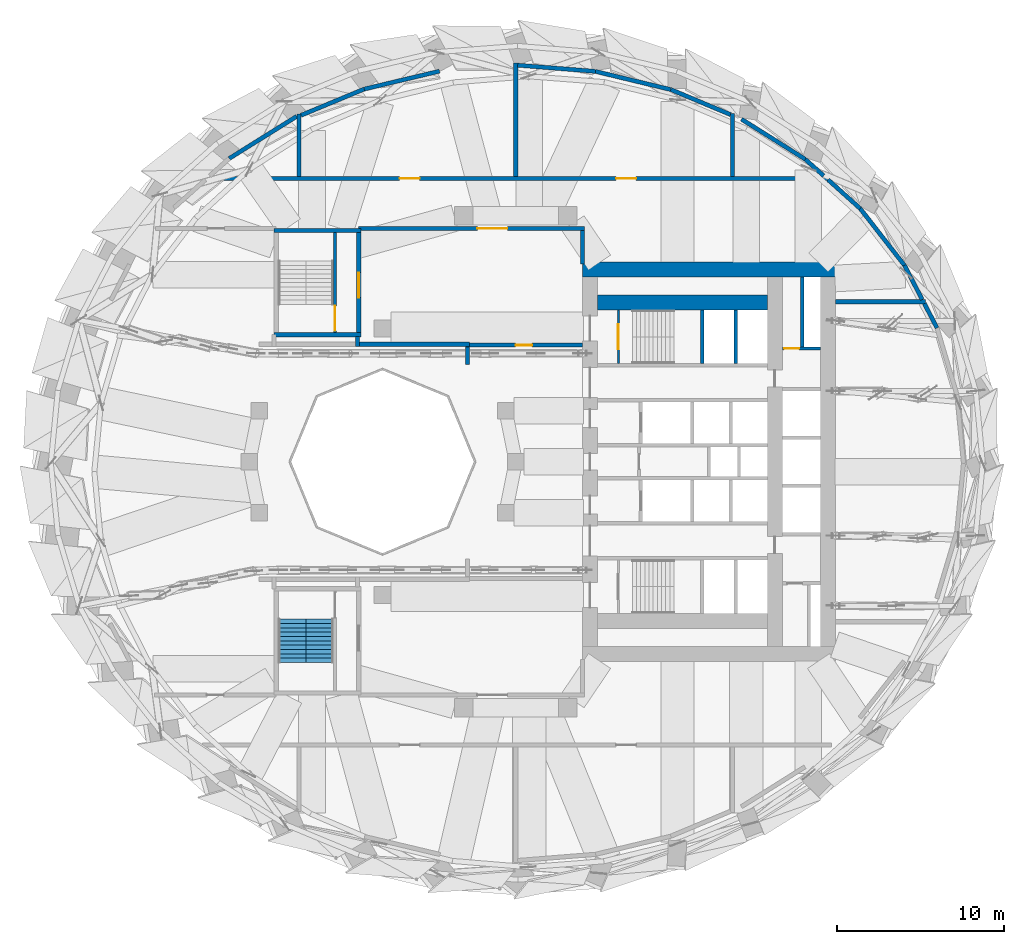
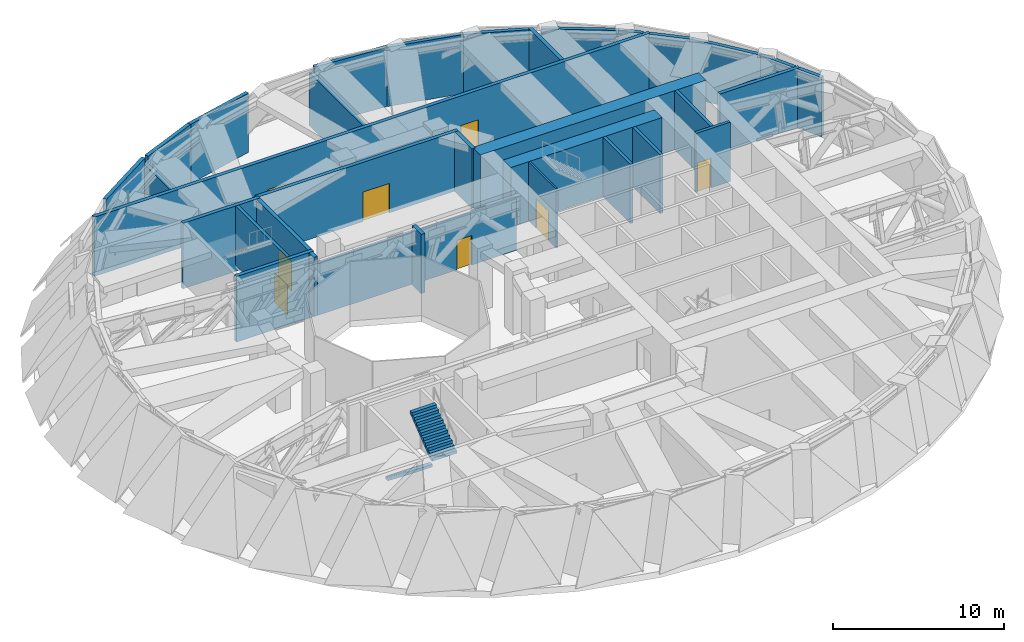
# One storey, part 9 of 15: 34 walls, 8 doors, 2 stair flights, 8 openings, 1 element without a shape of its own.
"""IFC4 building model written with IfcOpenShell, lengths in metres."""

from ifc_helpers import new_model, si_unit, direction, frame, frame_2d, origin, place, context, subcontext, project, spatial, polyline, rectangle, outline, extrude, material, layer, layer_set, type_object, element, fill, aggregate, save


model = new_model("IFC4")

# Units and contexts
model_context = context("Model", 3, precision=1e-05, world=origin(), true_north=direction((0.0, 1.0)))
body_context = subcontext(model_context, "Body", "Model", "MODEL_VIEW")
ifc_project = project(units=[si_unit("LENGTHUNIT", "METRE"), si_unit("AREAUNIT", "SQUARE_METRE"), si_unit("VOLUMEUNIT", "CUBIC_METRE"), si_unit("PLANEANGLEUNIT", "RADIAN"), si_unit("MASSUNIT", "GRAM", prefix="KILO")], contexts=[model_context])

# Site, building, storey
site_placement = place(None, origin())
site = spatial("IfcSite", under=ifc_project, at=site_placement, CompositionType="ELEMENT")
building_placement = place(site_placement, origin())
building = spatial("IfcBuilding", under=site, at=building_placement, Name="Taillehof Tower", CompositionType="ELEMENT")
storey_placement = place(building_placement, frame((0.0, 0.0, 84.39990234375)))
storey = spatial("IfcBuildingStorey", under=building, at=storey_placement, Name="L23", CompositionType="ELEMENT", Elevation=84.39990234375)

# Wall, opening, door
ifc_material_1 = material(Name="Calcium silicate masonry", Category="masonry")
ifc_layer_1 = layer(ifc_material_1, 0.199951171875)
ifc_layer_set_1 = layer_set([ifc_layer_1], Name="Compartment wall calcium silicate 200")
wall_type_1 = type_object("IfcWallType", Name="Compartment wall calcium silicate 200", PredefinedType="PARTITIONING", material=ifc_layer_set_1)
wall_1_placement = place(storey_placement, frame((16.0, 6.800048828125, 0.0), z_axis=(0.0, 0.0, 1.0), x_axis=(1.0, 0.0, 0.0)))
wall_1 = element("IfcWall", 1, at=wall_1_placement, inside=storey, type_object=wall_type_1, Name="Compartment wall FW", PredefinedType="PARTITIONING", context=body_context, shape_type="SweptSolid", body=[
    extrude(rectangle(XDim=2.300048828125, YDim=0.199951171875, at=frame_2d((1.14990234375, 0.0))), origin(), (0.0, 0.0, 1.0), 4.22021484375),
])
opening_1_placement = place(wall_1_placement, frame((0.10009765625, 0.0, 0.0)))
opening_1 = element("IfcOpeningElement", 2, at=opening_1_placement, cuts=wall_1, Name="Opening D2314", PredefinedType="OPENING", context=body_context, shape_type="SweptSolid", body=[
    extrude(rectangle(XDim=0.89990234375, YDim=2.10009765625, at=frame_2d((0.449951171875, 1.050048828125))), frame((0.0, 0.10986328125, 0.0), z_axis=(0.0, -1.0, 0.0), x_axis=(1.0, 0.0, 0.0)), (0.0, 0.0, 1.0), 0.219970703125),
])
ifc_material_2 = material(Name="Steel-faced fire door", Category="steel")
door_type_1 = type_object("IfcDoorType", Name="Riser and service room door 900x2100", OperationType="SINGLE_SWING_LEFT", PredefinedType="DOOR", material=ifc_material_2)
door_1_placement = place(opening_1_placement, origin())
door_1 = element("IfcDoor", 3, at=door_1_placement, inside=storey, type_object=door_type_1, Name="Door Ice Room", OperationType="SINGLE_SWING_RIGHT", OverallHeight=2.10009765625, OverallWidth=0.89990234375, PredefinedType="DOOR", context=body_context, shape_type="SweptSolid", body=[
    extrude(rectangle(XDim=0.89990234375, YDim=2.10009765625, at=frame_2d((0.449951171875, 1.050048828125))), frame((0.0, 0.02490234375, 0.0), z_axis=(0.0, -1.0, 0.0), x_axis=(1.0, 0.0, 0.0)), (0.0, 0.0, 1.0), 0.050048828125),
])
fill(opening_1, door_1)

# Walls
wall_2_placement = place(storey_placement, frame((17.199951171875, 6.89990234375, 0.0), z_axis=(0.0, 0.0, 1.0), x_axis=(0.0, 1.0, 0.0)))
element("IfcWall", 4, at=wall_2_placement, inside=storey, type_object=wall_type_1, Name="Compartment wall FW", PredefinedType="PARTITIONING", context=body_context, shape_type="SweptSolid", body=[
    extrude(rectangle(XDim=4.2001953125, YDim=0.199951171875, at=frame_2d((2.10009765625, 0.0))), origin(), (0.0, 0.0, 1.0), 4.22021484375),
])
ifc_material_3 = material(Name="Concrete C80/95", Category="concrete")
ifc_layer_2 = layer(ifc_material_3, 0.89990234375)
ifc_layer_set_2 = layer_set([ifc_layer_2], Name="Core wall C80/95 900")
wall_type_2 = type_object("IfcWallType", Name="Core wall C80/95 900", PredefinedType="SHEAR", material=ifc_layer_set_2)
wall_3_placement = place(storey_placement, frame((4.0, 11.550048828125, 0.0), z_axis=(0.0, 0.0, 1.0), x_axis=(1.0, 0.0, 0.0)))
element("IfcWall", 5, at=wall_3_placement, inside=storey, type_object=wall_type_2, Name="Core wall CW03", PredefinedType="SHEAR", context=body_context, shape_type="SweptSolid", body=[
    extrude(rectangle(XDim=15.199951171875, YDim=0.89990234375, at=frame_2d((7.60009765625, 0.0))), origin(), (0.0, 0.0, 1.0), 4.22021484375),
])
wall_4_placement = place(storey_placement, frame((4.89990234375, 9.550048828125, 0.0), z_axis=(0.0, 0.0, 1.0), x_axis=(1.0, 0.0, 0.0)))
element("IfcWall", 6, at=wall_4_placement, inside=storey, type_object=wall_type_2, Name="Core wall CW06", PredefinedType="SHEAR", context=body_context, shape_type="SweptSolid", body=[
    extrude(rectangle(XDim=10.2001953125, YDim=0.89990234375, at=frame_2d((5.10009765625, 0.0))), origin(), (0.0, 0.0, 1.0), 4.22021484375),
])
ifc_material_4 = material(Name="Calcium silicate blockwork", Category="masonry")
ifc_layer_3 = layer(ifc_material_4, 0.25)
ifc_layer_set_3 = layer_set([ifc_layer_3], Name="Fire-resisting wall EI 120 250 mm")
wall_type_3 = type_object("IfcWallType", Name="Fire-resisting wall EI 120 250 mm", PredefinedType="PARTITIONING", material=ifc_layer_set_3)
wall_5_placement = place(storey_placement, frame((20.6650390625, 15.19921875, 0.0), z_axis=(0.0, 0.0, 1.0), x_axis=(-0.744342369602, 0.667798200668, 0.0)))
element("IfcWall", 7, at=wall_5_placement, inside=storey, type_object=wall_type_3, Name="Wall TRB / L23-04", PredefinedType="PARTITIONING", context=body_context, shape_type="SweptSolid", body=[
    extrude(rectangle(XDim=2.580322265625, YDim=0.25, at=frame_2d((1.2900390625, 0.0))), origin(), (0.0, 0.0, 1.0), 4.22021484375),
])
wall_6_placement = place(storey_placement, frame((23.326416015625, 11.788818359375, 0.0), z_axis=(0.0, 0.0, 1.0), x_axis=(-0.615213541068, 0.788360513272, 0.0)))
element("IfcWall", 8, at=wall_6_placement, inside=storey, type_object=wall_type_3, Name="Wall TRB / L23-04", PredefinedType="PARTITIONING", context=body_context, shape_type="SweptSolid", body=[
    extrude(rectangle(XDim=4.325927734375, YDim=0.25, at=frame_2d((2.1630859375, 0.0))), origin(), (0.0, 0.0, 1.0), 4.22021484375),
])
wall_7_placement = place(storey_placement, frame((24.393310546875, 9.7353515625, 0.0), z_axis=(0.0, 0.0, 1.0), x_axis=(-0.46104377647, 0.887377392195, 0.0)))
element("IfcWall", 9, at=wall_7_placement, inside=storey, type_object=wall_type_3, Name="Wall TRB / L23-04", PredefinedType="PARTITIONING", context=body_context, shape_type="SweptSolid", body=[
    extrude(rectangle(XDim=2.31396484375, YDim=0.25, at=frame_2d((1.156982421875, 0.0))), origin(), (0.0, 0.0, 1.0), 4.22021484375),
])
wall_8_placement = place(storey_placement, frame((-13.137451171875, 20.735107421875, 0.0), z_axis=(0.0, 0.0, 1.0), x_axis=(-0.848198724943, -0.529678131515, 0.0)))
element("IfcWall", 10, at=wall_8_placement, inside=storey, type_object=wall_type_3, Name="Wall TRB / L23-06", PredefinedType="PARTITIONING", context=body_context, shape_type="SweptSolid", body=[
    extrude(rectangle(XDim=4.7890625, YDim=0.25, at=frame_2d((2.39453125, 0.0))), origin(), (0.0, 0.0, 1.0), 4.22021484375),
])
wall_9_placement = place(storey_placement, frame((-9.10791015625, 22.361572265625, 0.0), z_axis=(0.0, 0.0, 1.0), x_axis=(-0.923539545344, -0.383503204923, 0.0)))
element("IfcWall", 11, at=wall_9_placement, inside=storey, type_object=wall_type_3, Name="Wall TRB / L23-07", PredefinedType="PARTITIONING", context=body_context, shape_type="SweptSolid", body=[
    extrude(rectangle(XDim=4.100341796875, YDim=0.25, at=frame_2d((2.05029296875, 0.0))), origin(), (0.0, 0.0, 1.0), 4.22021484375),
])
wall_10_placement = place(storey_placement, frame((-4.57275390625, 23.44140625, 0.0), z_axis=(0.0, 0.0, 1.0), x_axis=(-0.972804528966, -0.231627607214, 0.0)))
element("IfcWall", 12, at=wall_10_placement, inside=storey, type_object=wall_type_3, Name="Wall TRB / L23-07", PredefinedType="PARTITIONING", context=body_context, shape_type="SweptSolid", body=[
    extrude(rectangle(XDim=4.661865234375, YDim=0.25, at=frame_2d((2.3310546875, 0.0))), origin(), (0.0, 0.0, 1.0), 4.22021484375),
])
wall_11_placement = place(storey_placement, frame((4.781005859375, 23.42578125, 0.0), z_axis=(0.0, 0.0, 1.0), x_axis=(-0.996822406817, 0.079656068617, 0.0)))
element("IfcWall", 13, at=wall_11_placement, inside=storey, type_object=wall_type_3, Name="Wall TRB / L23-08", PredefinedType="PARTITIONING", context=body_context, shape_type="SweptSolid", body=[
    extrude(rectangle(XDim=4.68017578125, YDim=0.25, at=frame_2d((2.340087890625, 0.0))), origin(), (0.0, 0.0, 1.0), 4.22021484375),
])
wall_12_placement = place(storey_placement, frame((9.3095703125, 22.332763671875, 0.0), z_axis=(0.0, 0.0, 1.0), x_axis=(-0.972086330275, 0.234623456825, 0.0)))
element("IfcWall", 14, at=wall_12_placement, inside=storey, type_object=wall_type_3, Name="Wall TRB / L23-08", PredefinedType="PARTITIONING", context=body_context, shape_type="SweptSolid", body=[
    extrude(rectangle(XDim=4.65869140625, YDim=0.25, at=frame_2d((2.329345703125, 0.0))), origin(), (0.0, 0.0, 1.0), 4.22021484375),
])
wall_13_placement = place(storey_placement, frame((12.894775390625, 20.83056640625, 0.0), z_axis=(0.0, 0.0, 1.0), x_axis=(-0.922311392855, 0.386447531511, 0.0)))
element("IfcWall", 15, at=wall_13_placement, inside=storey, type_object=wall_type_3, Name="Wall TRB / L23-08", PredefinedType="PARTITIONING", context=body_context, shape_type="SweptSolid", body=[
    extrude(rectangle(XDim=3.88720703125, YDim=0.25, at=frame_2d((1.943603515625, 0.0))), origin(), (0.0, 0.0, 1.0), 4.22021484375),
])
wall_14_placement = place(storey_placement, frame((17.373046875, 18.152587890625, 0.0), z_axis=(0.0, 0.0, 1.0), x_axis=(-0.846592001296, 0.532242410318, 0.0)))
element("IfcWall", 16, at=wall_14_placement, inside=storey, type_object=wall_type_3, Name="Wall TRB / L23-09", PredefinedType="PARTITIONING", context=body_context, shape_type="SweptSolid", body=[
    extrude(rectangle(XDim=4.515380859375, YDim=0.25, at=frame_2d((2.2578125, 0.0))), origin(), (0.0, 0.0, 1.0), 4.22021484375),
])
wall_15_placement = place(storey_placement, frame((18.477783203125, 17.161376953125, 0.0), z_axis=(0.0, 0.0, 1.0), x_axis=(-0.744315658598, 0.667827972135, 0.0)))
element("IfcWall", 17, at=wall_15_placement, inside=storey, type_object=wall_type_3, Name="Wall TRB / L23-09", PredefinedType="PARTITIONING", context=body_context, shape_type="SweptSolid", body=[
    extrude(rectangle(XDim=1.484130859375, YDim=0.25, at=frame_2d((0.7421875, 0.0))), origin(), (0.0, 0.0, 1.0), 4.22021484375),
])
wall_16_placement = place(storey_placement, frame((25.281005859375, 8.02685546875, 0.0), z_axis=(0.0, 0.0, 1.0), x_axis=(-0.461007985197, 0.88739598691, 0.0)))
element("IfcWall", 18, at=wall_16_placement, inside=storey, type_object=wall_type_3, Name="Wall TRB / TRE", PredefinedType="PARTITIONING", context=body_context, shape_type="SweptSolid", body=[
    extrude(rectangle(XDim=1.650146484375, YDim=0.25, at=frame_2d((0.8251953125, 0.0))), origin(), (0.0, 0.0, 1.0), 4.22021484375),
])

# Wall, opening, door
wall_17_placement = place(storey_placement, frame((-3.02490234375, 7.0, 0.0), z_axis=(0.0, 0.0, 1.0), x_axis=(1.0, 0.0, 0.0)))
wall_17 = element("IfcWall", 19, at=wall_17_placement, inside=storey, type_object=wall_type_3, Name="Wall L23-01 / L23-03", PredefinedType="PARTITIONING", context=body_context, shape_type="SweptSolid", body=[
    extrude(rectangle(XDim=7.02685546875, YDim=0.25, at=frame_2d((3.513427734375, 0.0))), origin(), (0.0, 0.0, 1.0), 3.670166015625),
])
opening_2_placement = place(wall_17_placement, frame((3.012939453125, 0.0, 0.0)))
opening_2 = element("IfcOpeningElement", 20, at=opening_2_placement, cuts=wall_17, Name="Opening D2345", PredefinedType="OPENING", context=body_context, shape_type="SweptSolid", body=[
    extrude(rectangle(XDim=1.0, YDim=2.10009765625, at=frame_2d((0.5, 1.050048828125))), frame((0.0, 0.135009765625, 0.0), z_axis=(0.0, -1.0, 0.0), x_axis=(1.0, 0.0, 0.0)), (0.0, 0.0, 1.0), 0.27001953125),
])
ifc_material_5 = material(Name="Hollow metal door set")
door_type_2 = type_object("IfcDoorType", Name="Single door 1000 x 2100 FD120S", OperationType="SINGLE_SWING_LEFT", PredefinedType="DOOR", material=ifc_material_5)
door_2_placement = place(opening_2_placement, origin())
door_2 = element("IfcDoor", 21, at=door_2_placement, inside=storey, type_object=door_type_2, Name="Door D2345", OperationType="SINGLE_SWING_RIGHT", OverallHeight=2.10009765625, OverallWidth=1.0, PredefinedType="DOOR", context=body_context, shape_type="SweptSolid", body=[
    extrude(rectangle(XDim=1.0, YDim=2.10009765625, at=frame_2d((0.5, 1.050048828125))), frame((0.0, 0.02490234375, 0.0), z_axis=(0.0, -1.0, 0.0), x_axis=(1.0, 0.0, 0.0)), (0.0, 0.0, 1.0), 0.050048828125),
])
fill(opening_2, door_2)

# Walls
wall_18_placement = place(storey_placement, frame((-9.375, 7.050048828125, 0.0), z_axis=(0.0, 0.0, 1.0), x_axis=(1.0, 0.0, 0.0)))
element("IfcWall", 22, at=wall_18_placement, inside=storey, type_object=wall_type_3, Name="Wall TROT5 / L23-01", PredefinedType="PARTITIONING", context=body_context, shape_type="SweptSolid", body=[
    extrude(rectangle(XDim=6.60009765625, YDim=0.25, at=frame_2d((3.300048828125, 0.0))), origin(), (0.0, 0.0, 1.0), 3.670166015625),
])
wall_19_placement = place(storey_placement, frame((19.197998046875, 9.60009765625, 0.0), z_axis=(0.0, 0.0, 1.0), x_axis=(1.0, 0.0, 0.0)))
element("IfcWall", 23, at=wall_19_placement, inside=storey, type_object=wall_type_3, Name="Wall TRE / L23-04", PredefinedType="PARTITIONING", context=body_context, shape_type="SweptSolid", body=[
    extrude(rectangle(XDim=5.390625, YDim=0.25, at=frame_2d((2.6953125, 0.0))), origin(), (0.0, 0.0, 1.0), 4.22021484375),
])

# Wall, opening, door
wall_20_placement = place(storey_placement, frame((-9.425048828125, 14.0, 0.0), z_axis=(0.0, 0.0, 1.0), x_axis=(1.0, 0.0, 0.0)))
wall_20 = element("IfcWall", 24, at=wall_20_placement, inside=storey, type_object=wall_type_3, Name="Wall L23-01 / L23-04", PredefinedType="PARTITIONING", context=body_context, shape_type="SweptSolid", body=[
    extrude(rectangle(XDim=13.550048828125, YDim=0.25, at=frame_2d((6.77490234375, 0.0))), origin(), (0.0, 0.0, 1.0), 4.22021484375),
])
opening_3_placement = place(wall_20_placement, frame((7.125, 0.0, 0.0)))
opening_3 = element("IfcOpeningElement", 25, at=opening_3_placement, cuts=wall_20, Name="Opening D2347", PredefinedType="OPENING", context=body_context, shape_type="SweptSolid", body=[
    extrude(rectangle(XDim=1.800048828125, YDim=2.10009765625, at=frame_2d((0.89990234375, 1.050048828125))), frame((0.0, 0.135009765625, 0.0), z_axis=(0.0, -1.0, 0.0), x_axis=(1.0, 0.0, 0.0)), (0.0, 0.0, 1.0), 0.27001953125),
])
ifc_material_6 = material(Name="Hollow metal door set")
door_type_3 = type_object("IfcDoorType", Name="Double door 1800 x 2100 FD120S", OperationType="DOUBLE_DOOR_SINGLE_SWING", PredefinedType="DOOR", material=ifc_material_6)
door_3_placement = place(opening_3_placement, origin())
door_3 = element("IfcDoor", 26, at=door_3_placement, inside=storey, type_object=door_type_3, Name="Door D2347", OperationType="DOUBLE_DOOR_SINGLE_SWING", OverallHeight=2.10009765625, OverallWidth=1.800048828125, PredefinedType="DOOR", context=body_context, shape_type="SweptSolid", body=[
    extrude(rectangle(XDim=1.800048828125, YDim=2.10009765625, at=frame_2d((0.89990234375, 1.050048828125))), frame((0.0, 0.02490234375, 0.0), z_axis=(0.0, -1.0, 0.0), x_axis=(1.0, 0.0, 0.0)), (0.0, 0.0, 1.0), 0.050048828125),
])
fill(opening_3, door_3)

# Wall, openings, doors
wall_21_placement = place(storey_placement, frame((-18.667236328125, 17.0, 0.0), z_axis=(0.0, 0.0, 1.0), x_axis=(1.0, 0.0, 0.0)))
wall_21 = element("IfcWall", 27, at=wall_21_placement, inside=storey, type_object=wall_type_3, Name="Wall L23-04 / L23-06", PredefinedType="PARTITIONING", context=body_context, shape_type="SweptSolid", body=[
    extrude(rectangle(XDim=37.449951171875, YDim=0.25, at=frame_2d((18.72509765625, 0.0))), origin(), (0.0, 0.0, 1.0), 4.22021484375),
])
opening_4_placement = place(wall_21_placement, frame((11.6923828125, 0.0, 0.0)))
opening_4 = element("IfcOpeningElement", 28, at=opening_4_placement, cuts=wall_21, Name="Opening D2348", PredefinedType="OPENING", context=body_context, shape_type="SweptSolid", body=[
    extrude(rectangle(XDim=1.199951171875, YDim=2.10009765625, at=frame_2d((0.60009765625, 1.050048828125))), frame((0.0, 0.135009765625, 0.0), z_axis=(0.0, -1.0, 0.0), x_axis=(1.0, 0.0, 0.0)), (0.0, 0.0, 1.0), 0.27001953125),
])
opening_5_placement = place(wall_21_placement, frame((24.6923828125, 0.0, 0.0)))
opening_5 = element("IfcOpeningElement", 29, at=opening_5_placement, cuts=wall_21, Name="Opening D2349", PredefinedType="OPENING", context=body_context, shape_type="SweptSolid", body=[
    extrude(rectangle(XDim=1.199951171875, YDim=2.10009765625, at=frame_2d((0.60009765625, 1.050048828125))), frame((0.0, 0.135009765625, 0.0), z_axis=(0.0, -1.0, 0.0), x_axis=(1.0, 0.0, 0.0)), (0.0, 0.0, 1.0), 0.27001953125),
])
ifc_material_7 = material(Name="Hollow metal door set")
door_type_4 = type_object("IfcDoorType", Name="Single door 1200 x 2100 FD120S", OperationType="SINGLE_SWING_LEFT", PredefinedType="DOOR", material=ifc_material_7)
door_4_placement = place(opening_4_placement, origin())
door_4 = element("IfcDoor", 30, at=door_4_placement, inside=storey, type_object=door_type_4, Name="Door D2348", OperationType="SINGLE_SWING_LEFT", OverallHeight=2.10009765625, OverallWidth=1.199951171875, PredefinedType="DOOR", context=body_context, shape_type="SweptSolid", body=[
    extrude(rectangle(XDim=1.199951171875, YDim=2.10009765625, at=frame_2d((0.60009765625, 1.050048828125))), frame((0.0, 0.02490234375, 0.0), z_axis=(0.0, -1.0, 0.0), x_axis=(1.0, 0.0, 0.0)), (0.0, 0.0, 1.0), 0.050048828125),
])
fill(opening_4, door_4)
door_5_placement = place(opening_5_placement, origin())
door_5 = element("IfcDoor", 31, at=door_5_placement, inside=storey, type_object=door_type_4, Name="Door D2349", OperationType="SINGLE_SWING_RIGHT", OverallHeight=2.10009765625, OverallWidth=1.199951171875, PredefinedType="DOOR", context=body_context, shape_type="SweptSolid", body=[
    extrude(rectangle(XDim=1.199951171875, YDim=2.10009765625, at=frame_2d((0.60009765625, 1.050048828125))), frame((0.0, 0.02490234375, 0.0), z_axis=(0.0, -1.0, 0.0), x_axis=(1.0, 0.0, 0.0)), (0.0, 0.0, 1.0), 0.050048828125),
])
fill(opening_5, door_5)

# Walls
wall_22_placement = place(storey_placement, frame((-13.0, 17.125, 0.0), z_axis=(0.0, 0.0, 1.0), x_axis=(0.0, 1.0, 0.0)))
element("IfcWall", 32, at=wall_22_placement, inside=storey, type_object=wall_type_3, Name="Wall L23-06 / L23-07", PredefinedType="PARTITIONING", context=body_context, shape_type="SweptSolid", body=[
    extrude(rectangle(XDim=3.745361328125, YDim=0.25, at=frame_2d((1.87255859375, 0.0))), origin(), (0.0, 0.0, 1.0), 3.77001953125),
])
wall_23_placement = place(storey_placement, frame((-9.5, 6.925048828125, 0.0), z_axis=(0.0, 0.0, 1.0), x_axis=(0.0, 1.0, 0.0)))
element("IfcWall", 33, at=wall_23_placement, inside=storey, type_object=wall_type_3, Name="Wall L23-01 / L23-17", PredefinedType="PARTITIONING", context=body_context, shape_type="SweptSolid", body=[
    extrude(rectangle(XDim=0.576904296875, YDim=0.25, at=frame_2d((0.28857421875, 0.0))), origin(), (0.0, 0.0, 1.0), 4.22021484375),
])
wall_24_placement = place(storey_placement, frame((-2.89990234375, 5.824951171875, 0.0), z_axis=(0.0, 0.0, 1.0), x_axis=(0.0, 1.0, 0.0)))
element("IfcWall", 34, at=wall_24_placement, inside=storey, type_object=wall_type_3, Name="Wall TROT5 / L23-03", PredefinedType="PARTITIONING", context=body_context, shape_type="SweptSolid", body=[
    extrude(rectangle(XDim=1.050048828125, YDim=0.25, at=frame_2d((0.52490234375, 0.0))), origin(), (0.0, 0.0, 1.0), 4.22021484375),
])
wall_25_placement = place(storey_placement, frame((0.0, 17.125, 0.0), z_axis=(0.0, 0.0, 1.0), x_axis=(0.0, 1.0, 0.0)))
element("IfcWall", 35, at=wall_25_placement, inside=storey, type_object=wall_type_3, Name="Wall L23-07 / L23-08", PredefinedType="PARTITIONING", context=body_context, shape_type="SweptSolid", body=[
    extrude(rectangle(XDim=6.79150390625, YDim=0.25, at=frame_2d((3.395751953125, 0.0))), origin(), (0.0, 0.0, 1.0), 3.77001953125),
])
wall_26_placement = place(storey_placement, frame((4.0, 11.875, 0.0), z_axis=(0.0, 0.0, 1.0), x_axis=(0.0, 1.0, 0.0)))
element("IfcWall", 36, at=wall_26_placement, inside=storey, type_object=wall_type_3, Name="Wall L23-01 / L23-04", PredefinedType="PARTITIONING", context=body_context, shape_type="SweptSolid", body=[
    extrude(rectangle(XDim=2.0, YDim=0.25, at=frame_2d((1.0, 0.0))), origin(), (0.0, 0.0, 1.0), 4.22021484375),
])
wall_27_placement = place(storey_placement, frame((13.0, 17.125, 0.0), z_axis=(0.0, 0.0, 1.0), x_axis=(0.0, 1.0, 0.0)))
element("IfcWall", 37, at=wall_27_placement, inside=storey, type_object=wall_type_3, Name="Wall L23-08 / L23-09", PredefinedType="PARTITIONING", context=body_context, shape_type="SweptSolid", body=[
    extrude(rectangle(XDim=3.78662109375, YDim=0.25, at=frame_2d((1.893310546875, 0.0))), origin(), (0.0, 0.0, 1.0), 4.22021484375),
])
ifc_material_8 = material(Name="Concrete C50/60", Category="concrete")
ifc_layer_4 = layer(ifc_material_8, 0.199951171875)
ifc_layer_set_4 = layer_set([ifc_layer_4], Name="Shaft wall C50/60 200")
wall_type_4 = type_object("IfcWallType", Name="Shaft wall C50/60 200", PredefinedType="SHEAR", material=ifc_layer_set_4)
for number, where, z_axis, x_axis, name in (
    (38, (11.199951171875, 5.89990234375, 0.0), (0.0, 0.0, 1.0), (0.0, 1.0, 0.0), "Shaft wall SW"),
    (39, (13.199951171875, 5.89990234375, 0.0), (0.0, 0.0, 1.0), (0.0, 1.0, 0.0), "Shaft wall SW"),
):
    element("IfcWall", number, at=place(storey_placement, frame(where, z_axis=z_axis, x_axis=x_axis)), inside=storey, type_object=wall_type_4, Name=name, PredefinedType="SHEAR", context=body_context, shape_type="SweptSolid", body=[
        extrude(rectangle(XDim=3.2001953125, YDim=0.199951171875, at=frame_2d((1.60009765625, 0.0))), origin(), (0.0, 0.0, 1.0), 4.22021484375),
    ])

# Wall, opening, door
wall_28_placement = place(storey_placement, frame((-10.85009765625, 7.75, 0.0), z_axis=(0.0, 0.0, 1.0), x_axis=(0.0, 1.0, 0.0)))
wall_28 = element("IfcWall", 40, at=wall_28_placement, inside=storey, type_object=wall_type_4, Name="Shaft wall SW", PredefinedType="SHEAR", context=body_context, shape_type="SweptSolid", body=[
    extrude(rectangle(XDim=6.0, YDim=0.199951171875, at=frame_2d((3.0, 0.0))), origin(), (0.0, 0.0, 1.0), 4.22021484375),
])
opening_6_placement = place(wall_28_placement, frame((0.10009765625, 0.0, 0.0)))
opening_6 = element("IfcOpeningElement", 41, at=opening_6_placement, cuts=wall_28, Name="Opening D2310", PredefinedType="OPENING", context=body_context, shape_type="SweptSolid", body=[
    extrude(rectangle(XDim=1.5, YDim=2.10009765625, at=frame_2d((0.75, 1.050048828125))), frame((0.0, 0.10986328125, 0.0), z_axis=(0.0, -1.0, 0.0), x_axis=(1.0, 0.0, 0.0)), (0.0, 0.0, 1.0), 0.219970703125),
])
ifc_material_9 = material(Name="Steel-faced fire door", Category="steel")
door_type_5 = type_object("IfcDoorType", Name="Stair door 1500x2100", OperationType="DOUBLE_DOOR_SINGLE_SWING", PredefinedType="DOOR", material=ifc_material_9)
door_6_placement = place(opening_6_placement, origin())
door_6 = element("IfcDoor", 42, at=door_6_placement, inside=storey, type_object=door_type_5, Name="Stair lobby door S3", OperationType="DOUBLE_DOOR_SINGLE_SWING", OverallHeight=2.10009765625, OverallWidth=1.5, PredefinedType="DOOR", context=body_context, shape_type="SweptSolid", body=[
    extrude(rectangle(XDim=1.5, YDim=2.10009765625, at=frame_2d((0.75, 1.050048828125))), frame((0.0, 0.02490234375, 0.0), z_axis=(0.0, -1.0, 0.0), x_axis=(1.0, 0.0, 0.0)), (0.0, 0.0, 1.0), 0.050048828125),
])
fill(opening_6, door_6)

ifc_material_10 = material(Name="Concrete C50/60", Category="concrete")
ifc_layer_5 = layer(ifc_material_10, 0.1201171875)
ifc_layer_set_5 = layer_set([ifc_layer_5], Name="Stair lobby wall C50/60 120")
wall_type_5 = type_object("IfcWallType", Name="Stair lobby wall C50/60 120", PredefinedType="SHEAR", material=ifc_layer_set_5)
wall_29_placement = place(storey_placement, frame((6.159912109375, 5.89990234375, 0.0), z_axis=(0.0, 0.0, 1.0), x_axis=(0.0, 1.0, 0.0)))
wall_29 = element("IfcWall", 43, at=wall_29_placement, inside=storey, type_object=wall_type_5, Name="Compartment wall SW", PredefinedType="SHEAR", context=body_context, shape_type="SweptSolid", body=[
    extrude(rectangle(XDim=3.2001953125, YDim=0.1201171875, at=frame_2d((1.60009765625, 0.0))), origin(), (0.0, 0.0, 1.0), 4.22021484375),
])
opening_7_placement = place(wall_29_placement, frame((0.85009765625, 0.0, 0.0)))
opening_7 = element("IfcOpeningElement", 44, at=opening_7_placement, cuts=wall_29, Name="Opening D2308", PredefinedType="OPENING", context=body_context, shape_type="SweptSolid", body=[
    extrude(rectangle(XDim=1.5, YDim=2.10009765625, at=frame_2d((0.75, 1.050048828125))), frame((0.0, 0.070068359375, 0.0), z_axis=(0.0, -1.0, 0.0), x_axis=(1.0, 0.0, 0.0)), (0.0, 0.0, 1.0), 0.14013671875),
])
door_7_placement = place(opening_7_placement, origin())
door_7 = element("IfcDoor", 45, at=door_7_placement, inside=storey, type_object=door_type_5, Name="Stair lobby door S1", OperationType="DOUBLE_DOOR_SINGLE_SWING", OverallHeight=2.10009765625, OverallWidth=1.5, PredefinedType="DOOR", context=body_context, shape_type="SweptSolid", body=[
    extrude(rectangle(XDim=1.5, YDim=2.10009765625, at=frame_2d((0.75, 1.050048828125))), frame((0.0, 0.02490234375, 0.0), z_axis=(0.0, -1.0, 0.0), x_axis=(1.0, 0.0, 0.0)), (0.0, 0.0, 1.0), 0.050048828125),
])
fill(opening_7, door_7)

ifc_material_11 = material(Name="Concrete C50/60", Category="concrete")
ifc_layer_6 = layer(ifc_material_11, 0.25)
ifc_layer_set_6 = layer_set([ifc_layer_6], Name="Stair wall C50/60 250")
wall_type_6 = type_object("IfcWallType", Name="Stair wall C50/60 250", PredefinedType="SHEAR", material=ifc_layer_set_6)
wall_30_placement = place(storey_placement, frame((-9.425048828125, 7.75, -0.449951171875), z_axis=(0.0, 0.0, 1.0), x_axis=(0.0, 1.0, 0.0)))
wall_30 = element("IfcWall", 46, at=wall_30_placement, inside=storey, type_object=wall_type_6, Name="Stair wall SC", PredefinedType="SHEAR", context=body_context, shape_type="SweptSolid", body=[
    extrude(rectangle(XDim=6.0, YDim=0.25, at=frame_2d((3.0, 0.0))), origin(), (0.0, 0.0, 1.0), 4.670166015625),
])
opening_8_placement = place(wall_30_placement, frame((2.10009765625, 0.0, 0.449951171875)))
opening_8 = element("IfcOpeningElement", 47, at=opening_8_placement, cuts=wall_30, Name="Opening D2317", PredefinedType="OPENING", context=body_context, shape_type="SweptSolid", body=[
    extrude(rectangle(XDim=1.5, YDim=2.10009765625, at=frame_2d((0.75, 1.050048828125))), frame((0.0, 0.135009765625, 0.0), z_axis=(0.0, -1.0, 0.0), x_axis=(1.0, 0.0, 0.0)), (0.0, 0.0, 1.0), 0.27001953125),
])
door_8_placement = place(opening_8_placement, origin())
door_8 = element("IfcDoor", 48, at=door_8_placement, inside=storey, type_object=door_type_5, Name="Stair door S3", OperationType="DOUBLE_DOOR_SINGLE_SWING", OverallHeight=2.10009765625, OverallWidth=1.5, PredefinedType="DOOR", context=body_context, shape_type="SweptSolid", body=[
    extrude(rectangle(XDim=1.5, YDim=2.10009765625, at=frame_2d((0.75, 1.050048828125))), frame((0.0, 0.02490234375, 0.0), z_axis=(0.0, -1.0, 0.0), x_axis=(1.0, 0.0, 0.0)), (0.0, 0.0, 1.0), 0.050048828125),
])
fill(opening_8, door_8)

# Walls
for number, where, z_axis, x_axis, name in (
    (49, (-14.5, 13.875, -0.449951171875), (0.0, 0.0, 1.0), (1.0, 0.0, 0.0), "Stair wall SC"),
    (50, (-14.5, 7.625, -0.449951171875), (0.0, 0.0, 1.0), (1.0, 0.0, 0.0), "Stair wall SC"),
):
    element("IfcWall", number, at=place(storey_placement, frame(where, z_axis=z_axis, x_axis=x_axis)), inside=storey, type_object=wall_type_6, Name=name, PredefinedType="SHEAR", context=body_context, shape_type="SweptSolid", body=[
        extrude(rectangle(XDim=5.199951171875, YDim=0.25, at=frame_2d((2.60009765625, 0.0))), origin(), (0.0, 0.0, 1.0), 4.670166015625),
    ])

# Stair, stair flights
ifc_material_12 = material(Name="Concrete C40/50", Category="concrete")
stair_type = type_object("IfcStairType", Name="Exit stair half-turn", PredefinedType="HALF_TURN_STAIR", material=ifc_material_12)
stair_placement = place(storey_placement, origin())
stair = element("IfcStair", 51, at=stair_placement, inside=storey, type_object=stair_type, Name="Exit stair S4", PredefinedType="HALF_TURN_STAIR")
ifc_material_13 = material(Name="Concrete C40/50", Category="concrete")
stair_flight_type = type_object("IfcStairFlightType", Name="Stair flight 1650 riser 204.5 going 260", PredefinedType="STRAIGHT", material=ifc_material_13)
stair_flight_1_placement = place(storey_placement, frame((-13.425048828125, -9.449951171875, 0.0), z_axis=(0.0, 0.0, 1.0), x_axis=(0.0, -1.0, 0.0)))
stair_flight_1 = element("IfcStairFlight", 52, at=stair_flight_1_placement, type_object=stair_flight_type, Name="S4 flight 1", NumberOfRisers=11, NumberOfTreads=10, PredefinedType="STRAIGHT", RiserHeight=0.204545455, TreadLength=0.26, context=body_context, shape_type="SweptSolid", body=[
    extrude(outline(polyline([(0.0, 0.0), (0.0, 0.006103515625), (0.0, 0.011962890625), (0.0, 0.01806640625), (0.0, 0.024169921875), (0.0, 0.030029296875), (0.0, 0.0361328125), (0.0, 0.0419921875), (0.0, 0.048095703125), (0.0, 0.05419921875), (0.0, 0.06005859375), (0.0, 0.066162109375), (0.0, 0.072265625), (0.0, 0.078125), (0.0, 0.084228515625), (0.0, 0.09033203125), (0.0, 0.09619140625), (0.0, 0.102294921875), (0.0, 0.1083984375), (0.0, 0.1142578125), (0.0, 0.120361328125), (0.0, 0.126220703125), (0.0, 0.13232421875), (0.0, 0.138427734375), (0.0, 0.144287109375), (0.0, 0.150390625), (0.0, 0.156494140625), (0.0, 0.162353515625), (0.0, 0.16845703125), (0.0, 0.174560546875), (0.0, 0.180419921875), (0.0, 0.1865234375), (0.0, 0.192626953125), (0.0, 0.198486328125), (0.0, 0.20458984375), (0.260009765625, 0.20458984375), (0.260009765625, 0.4091796875), (0.52001953125, 0.4091796875), (0.52001953125, 0.613525390625), (0.780029296875, 0.613525390625), (0.780029296875, 0.818115234375), (1.0400390625, 0.818115234375), (1.0400390625, 1.022705078125), (1.300048828125, 1.022705078125), (1.300048828125, 1.227294921875), (1.56005859375, 1.227294921875), (1.56005859375, 1.431884765625), (1.820068359375, 1.431884765625), (1.820068359375, 1.636474609375), (2.080078125, 1.636474609375), (2.080078125, 1.8408203125), (2.340087890625, 1.8408203125), (2.340087890625, 2.04541015625), (2.60009765625, 2.04541015625), (2.60009765625, 2.039794921875), (2.60009765625, 2.0341796875), (2.60009765625, 2.028564453125), (2.60009765625, 2.02294921875), (2.60009765625, 2.017333984375), (2.60009765625, 2.01171875), (2.60009765625, 2.006103515625), (2.60009765625, 2.00048828125), (2.60009765625, 1.994873046875), (2.60009765625, 1.9892578125), (2.60009765625, 1.983642578125), (2.60009765625, 1.97802734375), (2.60009765625, 1.972412109375), (2.60009765625, 1.966796875), (2.60009765625, 1.96142578125), (2.60009765625, 1.955810546875), (2.60009765625, 1.9501953125), (2.60009765625, 1.944580078125), (2.60009765625, 1.93896484375), (2.60009765625, 1.933349609375), (2.60009765625, 1.927734375), (2.60009765625, 1.922119140625), (2.60009765625, 1.91650390625), (2.60009765625, 1.910888671875), (2.60009765625, 1.9052734375), (2.60009765625, 1.899658203125), (2.60009765625, 1.89404296875), (2.60009765625, 1.888427734375), (2.60009765625, 1.8828125), (2.60009765625, 1.877197265625), (2.60009765625, 1.87158203125), (2.60009765625, 1.865966796875), (2.60009765625, 1.8603515625), (2.60009765625, 1.854736328125), (0.242431640625, 0.0), (0.0, 0.0)])), frame((0.0, 0.824951171875, 0.0), z_axis=(0.0, -1.0, 0.0), x_axis=(1.0, 0.0, 0.0)), (0.0, 0.0, 1.0), 1.65),
])
stair_flight_2_placement = place(storey_placement, frame((-11.77490234375, -12.050048828125, 2.25), z_axis=(0.0, 0.0, 1.0), x_axis=(0.0, 1.0, 0.0)))
stair_flight_2 = element("IfcStairFlight", 53, at=stair_flight_2_placement, type_object=stair_flight_type, Name="S4 flight 2", NumberOfRisers=11, NumberOfTreads=10, PredefinedType="STRAIGHT", RiserHeight=0.204545455, TreadLength=0.26, context=body_context, shape_type="SweptSolid", body=[
    extrude(outline(polyline([(0.0, 0.0), (0.0, 0.006103515625), (0.0, 0.011962890625), (0.0, 0.01806640625), (0.0, 0.024169921875), (0.0, 0.030029296875), (0.0, 0.0361328125), (0.0, 0.0419921875), (0.0, 0.048095703125), (0.0, 0.05419921875), (0.0, 0.06005859375), (0.0, 0.066162109375), (0.0, 0.072265625), (0.0, 0.078125), (0.0, 0.084228515625), (0.0, 0.09033203125), (0.0, 0.09619140625), (0.0, 0.102294921875), (0.0, 0.1083984375), (0.0, 0.1142578125), (0.0, 0.120361328125), (0.0, 0.126220703125), (0.0, 0.13232421875), (0.0, 0.138427734375), (0.0, 0.144287109375), (0.0, 0.150390625), (0.0, 0.156494140625), (0.0, 0.162353515625), (0.0, 0.16845703125), (0.0, 0.174560546875), (0.0, 0.180419921875), (0.0, 0.1865234375), (0.0, 0.192626953125), (0.0, 0.198486328125), (0.0, 0.20458984375), (0.260009765625, 0.20458984375), (0.260009765625, 0.4091796875), (0.52001953125, 0.4091796875), (0.52001953125, 0.613525390625), (0.780029296875, 0.613525390625), (0.780029296875, 0.818115234375), (1.0400390625, 0.818115234375), (1.0400390625, 1.022705078125), (1.300048828125, 1.022705078125), (1.300048828125, 1.227294921875), (1.56005859375, 1.227294921875), (1.56005859375, 1.431884765625), (1.820068359375, 1.431884765625), (1.820068359375, 1.636474609375), (2.080078125, 1.636474609375), (2.080078125, 1.8408203125), (2.340087890625, 1.8408203125), (2.340087890625, 2.04541015625), (2.60009765625, 2.04541015625), (2.60009765625, 2.039794921875), (2.60009765625, 2.0341796875), (2.60009765625, 2.028564453125), (2.60009765625, 2.02294921875), (2.60009765625, 2.017333984375), (2.60009765625, 2.01171875), (2.60009765625, 2.006103515625), (2.60009765625, 2.00048828125), (2.60009765625, 1.994873046875), (2.60009765625, 1.9892578125), (2.60009765625, 1.983642578125), (2.60009765625, 1.97802734375), (2.60009765625, 1.972412109375), (2.60009765625, 1.966796875), (2.60009765625, 1.96142578125), (2.60009765625, 1.955810546875), (2.60009765625, 1.9501953125), (2.60009765625, 1.944580078125), (2.60009765625, 1.93896484375), (2.60009765625, 1.933349609375), (2.60009765625, 1.927734375), (2.60009765625, 1.922119140625), (2.60009765625, 1.91650390625), (2.60009765625, 1.910888671875), (2.60009765625, 1.9052734375), (2.60009765625, 1.899658203125), (2.60009765625, 1.89404296875), (2.60009765625, 1.888427734375), (2.60009765625, 1.8828125), (2.60009765625, 1.877197265625), (2.60009765625, 1.87158203125), (2.60009765625, 1.865966796875), (2.60009765625, 1.8603515625), (2.60009765625, 1.854736328125), (0.242431640625, 0.0), (0.0, 0.0)])), frame((0.0, 0.824951171875, 0.0), z_axis=(0.0, -1.0, 0.0), x_axis=(1.0, 0.0, 0.0)), (0.0, 0.0, 1.0), 1.65),
])
aggregate(stair, [stair_flight_1, stair_flight_2])

save(model, "model.ifc")
